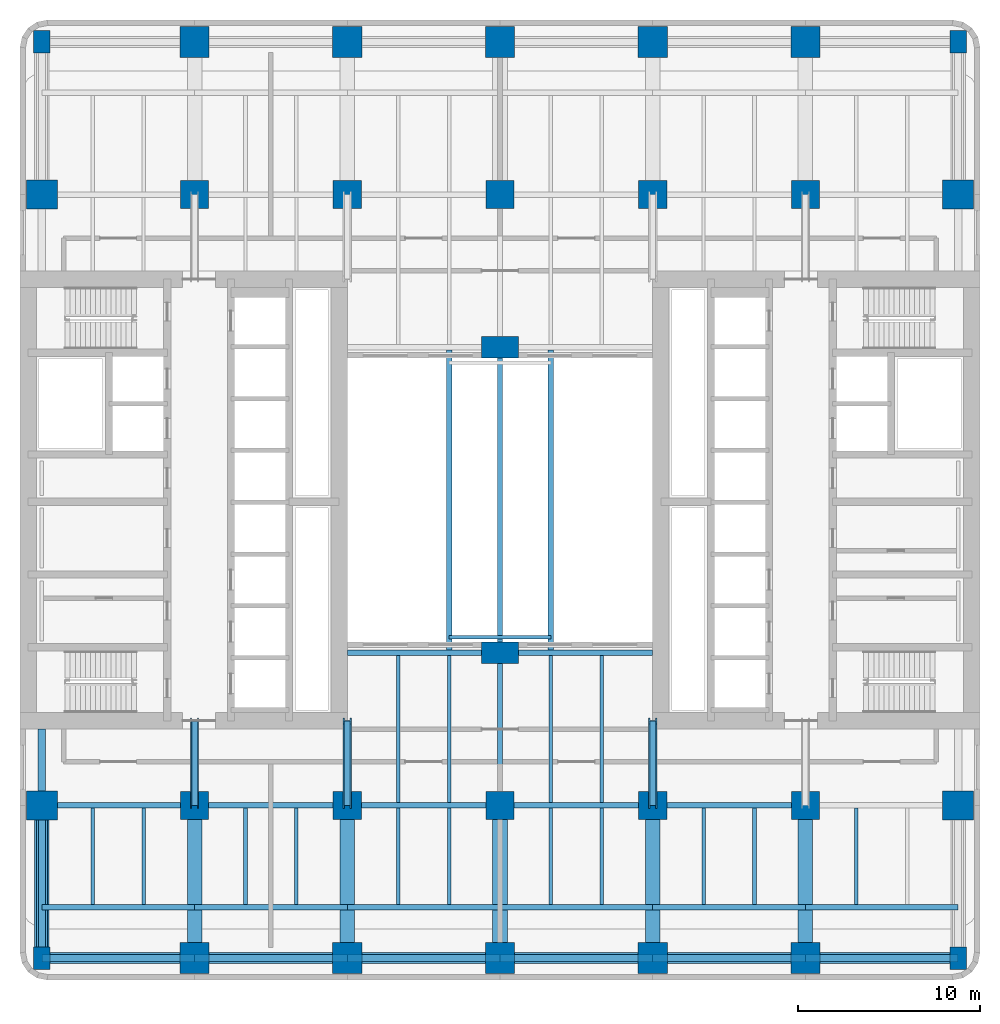
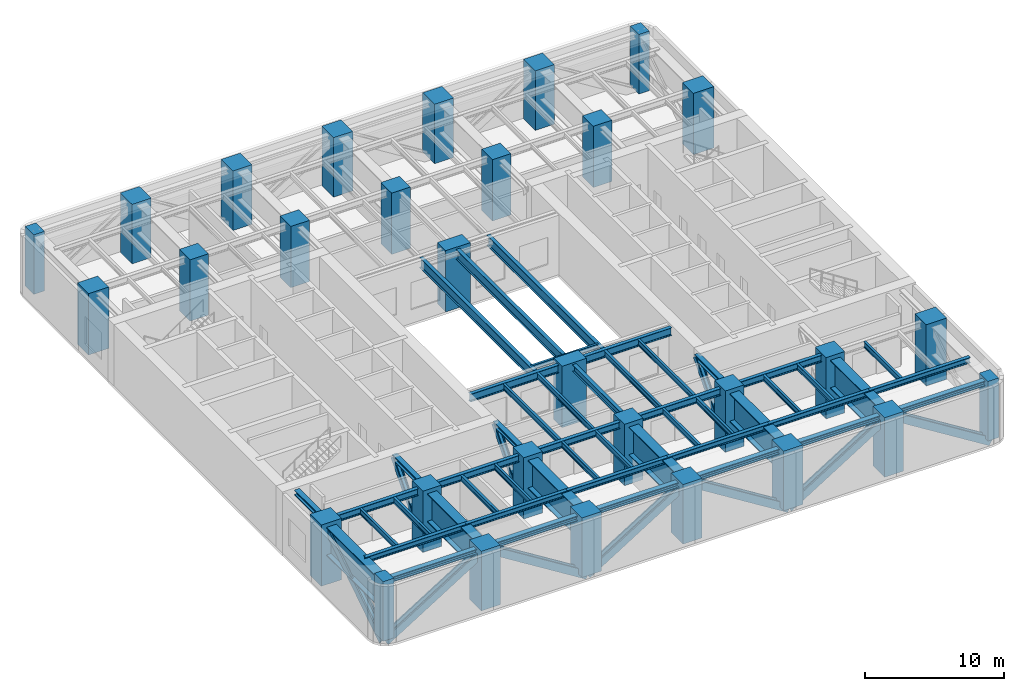
# One storey, part 1 of 11: 49 beams, 30 columns, 10 members.
"""IFC4 building model written with IfcOpenShell, lengths in metres."""

import ifcopenshell
import ifcopenshell.guid

model = None  # the IFC model being written
_history = None  # IfcOwnerHistory: only IFC2X3 demands one
_inside = {}  # id of a spatial element -> (the spatial element, [elements in it])
_under = {}  # id of a project, library or spatial element -> (it, [spatial elements below it])
_declared = {}  # id of a project -> (the project, [libraries it declares])
_typed = {}  # id of a type object -> (the type object, [elements of that type])
_made_of = {}  # id of a material, layer set ... -> (it, [elements and type objects made of it])


def new_model(schema):
    """Start an empty IFC model of exactly this schema.

    Asked for "IFC4X3", IfcOpenShell would pick the latest addendum, in which some entities
    have other attributes; the version numbers below select the first issue.
    IFC2X3 requires an IfcOwnerHistory on every rooted entity: one is made here for all.
    """
    global model, _history
    if schema == "IFC4X3":
        model = ifcopenshell.file(schema_version=(4, 3, 0, 0))
    else:
        model = ifcopenshell.file(schema=schema)
    _inside.clear()
    _under.clear()
    _declared.clear()
    _typed.clear()
    _made_of.clear()
    _history = None
    if model.schema == "IFC2X3":
        org = make("IfcOrganization", Name="unknown")
        user = make(
            "IfcPersonAndOrganization",
            ThePerson=make("IfcPerson", FamilyName="unknown"),
            TheOrganization=org,
        )
        app = make(
            "IfcApplication",
            ApplicationDeveloper=org,
            Version="unknown",
            ApplicationFullName="unknown",
            ApplicationIdentifier="unknown",
        )
        _history = make(
            "IfcOwnerHistory",
            OwningUser=user,
            OwningApplication=app,
            ChangeAction="ADDED",
            CreationDate=0,
        )
    return model


def make(cls, **values):
    """One entity of the class cls with the attributes given. An attribute that is None is left unset."""
    return model.create_entity(
        cls, **{name: value for name, value in values.items() if value is not None}
    )


def rooted(cls, **values):
    """An entity with a GlobalId (a new one), such as an element, a storey or a relation."""
    return make(cls, GlobalId=ifcopenshell.guid.new(), OwnerHistory=_history, **values)


def si_unit(unit_type, name, prefix=None):
    """IfcSIUnit, for example si_unit("LENGTHUNIT", "METRE", prefix="MILLI")."""
    return make("IfcSIUnit", UnitType=unit_type, Prefix=prefix, Name=name)


def assignment(units):
    """IfcUnitAssignment: the units of a project."""
    return None if units is None else make("IfcUnitAssignment", Units=units)


def point(xyz):
    """IfcCartesianPoint."""
    return None if xyz is None else make("IfcCartesianPoint", Coordinates=xyz)


def direction(xyz):
    """IfcDirection."""
    return None if xyz is None else make("IfcDirection", DirectionRatios=xyz)


def frame(location, z_axis=None, x_axis=None):
    """IfcAxis2Placement3D, a coordinate frame: its origin and axes. An axis left out is left unset."""
    return make(
        "IfcAxis2Placement3D",
        Location=point(location),
        Axis=direction(z_axis),
        RefDirection=direction(x_axis),
    )


def frame_2d(location, x_axis=None):
    """IfcAxis2Placement2D, a coordinate frame in the plane: its origin and x axis."""
    return make(
        "IfcAxis2Placement2D", Location=point(location), RefDirection=direction(x_axis)
    )


def origin():
    """The frame at (0, 0, 0) with its axes left unset."""
    return frame((0.0, 0.0, 0.0))


def origin_2d():
    """The frame at (0, 0) in the plane with its x axis left unset."""
    return frame_2d((0.0, 0.0))


def place(relative_to, where):
    """IfcLocalPlacement: puts the frame where relative to a parent placement (None: the world)."""
    return make(
        "IfcLocalPlacement", PlacementRelTo=relative_to, RelativePlacement=where
    )


def context(
    kind, dimensions, precision=None, world=None, true_north=None, identifier=None
):
    """IfcGeometricRepresentationContext, for example the 3D "Model" context."""
    return make(
        "IfcGeometricRepresentationContext",
        ContextIdentifier=identifier,
        ContextType=kind,
        CoordinateSpaceDimension=dimensions,
        Precision=precision,
        WorldCoordinateSystem=world,
        TrueNorth=true_north,
    )


def subcontext(parent, identifier, kind, view, scale=None):
    """IfcGeometricRepresentationSubContext, for example "Body" below "Model"."""
    return make(
        "IfcGeometricRepresentationSubContext",
        ContextIdentifier=identifier,
        ContextType=kind,
        ParentContext=parent,
        TargetScale=scale,
        TargetView=view,
    )


def project(units=None, contexts=None):
    """IfcProject with its units and contexts."""
    return rooted(
        "IfcProject",
        Name="project",
        RepresentationContexts=contexts,
        UnitsInContext=assignment(units),
    )


def spatial(cls, under=None, at=None, **own):
    """A site, building, storey or space (cls), placed at a placement, below another one or the project."""
    s = rooted(cls, ObjectPlacement=at, **own)
    if under is not None:
        _under.setdefault(under.id(), (under, []))[1].append(s)
    return s


def profile(cls, at=None, kind="AREA", **sizes):
    """A parametric profile (cls). Its sizes go by their IFC names, for example OverallWidth=200.0."""
    return make(cls, ProfileType=kind, Position=at, **sizes)


def rectangle(**sizes):
    """IfcRectangleProfileDef."""
    return profile("IfcRectangleProfileDef", **sizes)


def i_section(**sizes):
    """IfcIShapeProfileDef."""
    return profile("IfcIShapeProfileDef", **sizes)


def extrude(swept, where, along, depth):
    """IfcExtrudedAreaSolid: the profile swept, set in the frame where, extruded along a direction by depth."""
    return make(
        "IfcExtrudedAreaSolid",
        SweptArea=swept,
        Position=where,
        ExtrudedDirection=direction(along),
        Depth=depth,
    )


def shape(context_of_items, identifier, shape_type, items):
    """IfcShapeRepresentation: the items that make up one representation, for example the "Body"."""
    return make(
        "IfcShapeRepresentation",
        ContextOfItems=context_of_items,
        RepresentationIdentifier=identifier,
        RepresentationType=shape_type,
        Items=items,
    )


def material(Name=None, Category=None):
    """IfcMaterial."""
    return make("IfcMaterial", Name=Name, Category=Category)


def material_profile(
    of_material, cross_section, Name=None, Category=None, Priority=None
):
    """IfcMaterialProfile: a cross section and its material."""
    return make(
        "IfcMaterialProfile",
        Name=Name,
        Material=of_material,
        Profile=cross_section,
        Priority=Priority,
        Category=Category,
    )


def profile_set(profiles, Name=None, composite=None):
    """IfcMaterialProfileSet."""
    return make(
        "IfcMaterialProfileSet",
        Name=Name,
        MaterialProfiles=profiles,
        CompositeProfile=composite,
    )


def made_of(thing, what):
    """Note that an element or type object is made of a material, layer set ...; save() writes the relation."""
    if what is not None:
        _made_of.setdefault(what.id(), (what, []))[1].append(thing)
    return thing


def type_object(cls, material=None, **own):
    """A type object (cls), such as IfcWallType, which elements share."""
    return made_of(rooted(cls, **own), material)


def element(
    cls,
    number,
    at=None,
    inside=None,
    cuts=None,
    type_object=None,
    material=None,
    context=None,
    identifier="Body",
    shape_type=None,
    held_by="IfcProductDefinitionShape",
    body=None,
    shapes=None,
    **own,
):
    """One element of the class cls, such as IfcWall. Its Tag is "e" and its number.

    at: its placement. inside: the storey or other place that contains it. cuts: it is an
    opening in that element (IfcRelVoidsElement). A single representation is given by context,
    identifier, shape_type and body (its items); several are given by shapes. held_by: the class
    of the entity that holds the representations. save() writes the other relations.
    """
    e = rooted(cls, Tag="e%d" % number, ObjectPlacement=at, **own)
    if body is not None:
        shapes = [shape(context, identifier, shape_type, body)]
    if shapes is not None:
        e.Representation = make(held_by, Representations=shapes)
    if inside is not None:
        _inside.setdefault(inside.id(), (inside, []))[1].append(e)
    if cuts is not None:
        rooted(
            "IfcRelVoidsElement", RelatingBuildingElement=cuts, RelatedOpeningElement=e
        )
    if type_object is not None:
        _typed.setdefault(type_object.id(), (type_object, []))[1].append(e)
    return made_of(e, material)


def aggregate(whole, parts):
    """IfcRelAggregates: a whole, such as a stair, and the parts it consists of."""
    return rooted("IfcRelAggregates", RelatingObject=whole, RelatedObjects=parts)


def save(model, path):
    """Write the relations noted so far, then the file.

    IfcRelAggregates (storeys below a building ...), IfcRelContainedInSpatialStructure (elements
    in a storey), IfcRelDefinesByType, IfcRelAssociatesMaterial and IfcRelDeclares: one each for
    every whole, place, type object, material and project.
    """
    for whole, parts in _under.values():
        aggregate(whole, parts)
    for where, things in _inside.values():
        rooted(
            "IfcRelContainedInSpatialStructure",
            RelatedElements=things,
            RelatingStructure=where,
        )
    for kind, things in _typed.values():
        rooted("IfcRelDefinesByType", RelatedObjects=things, RelatingType=kind)
    for what, things in _made_of.values():
        rooted("IfcRelAssociatesMaterial", RelatedObjects=things, RelatingMaterial=what)
    for by, libraries in _declared.values():
        rooted("IfcRelDeclares", RelatingContext=by, RelatedDefinitions=libraries)
    model.write(path)


model = new_model("IFC4")

# Units and contexts
model_context = context("Model", 3, precision=1e-05, world=origin(), true_north=direction((0.0, 1.0)))
body_context = subcontext(model_context, "Body", "Model", "MODEL_VIEW")
ifc_project = project(units=[si_unit("LENGTHUNIT", "METRE"), si_unit("AREAUNIT", "SQUARE_METRE"), si_unit("VOLUMEUNIT", "CUBIC_METRE"), si_unit("PLANEANGLEUNIT", "RADIAN"), si_unit("MASSUNIT", "GRAM", prefix="KILO")], contexts=[model_context])

# Site, building, storey
site_placement = place(None, origin())
site = spatial("IfcSite", under=ifc_project, at=site_placement, CompositionType="ELEMENT")
building_placement = place(site_placement, origin())
building = spatial("IfcBuilding", under=site, at=building_placement, Name="Claustro Exchange Tower", CompositionType="ELEMENT")
storey_placement = place(building_placement, frame((0.0, 0.0, 90.89990234375)))
storey = spatial("IfcBuildingStorey", under=building, at=storey_placement, Name="L20", CompositionType="ELEMENT", Elevation=90.89990234375)

# Columns
ifc_material_1 = material(Name="Concrete HA-70 (C70/85)", Category="concrete")
ifc_material_profile_1 = material_profile(ifc_material_1, rectangle(XDim=1.550048828125, YDim=1.550048828125, at=origin_2d()), Name="RC 1550x1550")
ifc_profile_set_1 = profile_set([ifc_material_profile_1], Name="Concrete HA-70 (C70/85)")
column_type_1 = type_object("IfcColumnType", Name="C15 RC 1550x1550 HA-70 column", PredefinedType="COLUMN", material=ifc_profile_set_1)
for number, where, z_axis, x_axis, name in (
    (1, (8.39990234375, 8.39990234375, 0.0), (0.0, 0.0, 1.0), (1.0, 0.0, 0.0), "Column C15 2/B L20"),
    (2, (8.39990234375, 42.0, 0.0), (0.0, 0.0, 1.0), (1.0, 0.0, 0.0), "Column C15 2/F L20"),
    (3, (16.800048828125, 8.39990234375, 0.0), (0.0, 0.0, 1.0), (1.0, 0.0, 0.0), "Column C15 3/B L20"),
    (4, (16.800048828125, 42.0, 0.0), (0.0, 0.0, 1.0), (1.0, 0.0, 0.0), "Column C15 3/F L20"),
    (5, (25.199951171875, 8.39990234375, 0.0), (0.0, 0.0, 1.0), (1.0, 0.0, 0.0), "Column C15 4/B L20"),
    (6, (25.199951171875, 42.0, 0.0), (0.0, 0.0, 1.0), (1.0, 0.0, 0.0), "Column C15 4/F L20"),
    (7, (33.60009765625, 8.39990234375, 0.0), (0.0, 0.0, 1.0), (1.0, 0.0, 0.0), "Column C15 5/B L20"),
    (8, (33.60009765625, 42.0, 0.0), (0.0, 0.0, 1.0), (1.0, 0.0, 0.0), "Column C15 5/F L20"),
    (9, (42.0, 8.39990234375, 0.0), (0.0, 0.0, 1.0), (1.0, 0.0, 0.0), "Column C15 6/B L20"),
    (10, (42.0, 42.0, 0.0), (0.0, 0.0, 1.0), (1.0, 0.0, 0.0), "Column C15 6/F L20"),
):
    element("IfcColumn", number, at=place(storey_placement, frame(where, z_axis=z_axis, x_axis=x_axis)), inside=storey, type_object=column_type_1, Name=name, PredefinedType="COLUMN", context=body_context, shape_type="SweptSolid", body=[
        extrude(rectangle(XDim=1.550048828125, YDim=1.550048828125, at=origin_2d()), origin(), (0.0, 0.0, 1.0), 5.400146484375),
    ])
ifc_material_2 = material(Name="Concrete HA-70 (C70/85)", Category="concrete")
ifc_material_profile_2 = material_profile(ifc_material_2, rectangle(XDim=2.050048828125, YDim=1.199951171875, at=origin_2d()), Name="RC 2050x1200")
ifc_profile_set_2 = profile_set([ifc_material_profile_2], Name="Concrete HA-70 (C70/85)")
column_type_2 = type_object("IfcColumnType", Name="C31 RC 2050x1200 HA-70 light well column", PredefinedType="COLUMN", material=ifc_profile_set_2)
for number, where, z_axis, x_axis, name in (
    (11, (25.199951171875, 16.800048828125, 0.0), (0.0, 0.0, 1.0), (1.0, 0.0, 0.0), "Column C31 4/C L20"),
    (12, (25.199951171875, 33.60009765625, 0.0), (0.0, 0.0, 1.0), (1.0, 0.0, 0.0), "Column C31 4/E L20"),
):
    element("IfcColumn", number, at=place(storey_placement, frame(where, z_axis=z_axis, x_axis=x_axis)), inside=storey, type_object=column_type_2, Name=name, PredefinedType="COLUMN", context=body_context, shape_type="SweptSolid", body=[
        extrude(rectangle(XDim=2.050048828125, YDim=1.199951171875, at=origin_2d()), origin(), (0.0, 0.0, 1.0), 5.400146484375),
    ])
ifc_material_3 = material(Name="Concrete HA-70 (C70/85)", Category="concrete")
ifc_material_profile_3 = material_profile(ifc_material_3, rectangle(XDim=0.89990234375, YDim=1.25, at=origin_2d()), Name="RC 900x1250")
ifc_profile_set_3 = profile_set([ifc_material_profile_3], Name="Concrete HA-70 (C70/85)")
column_type_3 = type_object("IfcColumnType", Name="C35 RC 900x1250 HA-70 corner column", PredefinedType="COLUMN", material=ifc_profile_set_3)
for number, where, z_axis, x_axis, name in (
    (13, (0.0, 0.0, 0.0), (0.0, 0.0, 1.0), (1.0, 0.0, 0.0), "Column C35 1/A L20"),
    (14, (0.0, 50.39990234375, 0.0), (0.0, 0.0, 1.0), (1.0, 0.0, 0.0), "Column C35 1/G L20"),
    (15, (50.39990234375, 0.0, 0.0), (0.0, 0.0, 1.0), (1.0, 0.0, 0.0), "Column C35 7/A L20"),
    (16, (50.39990234375, 50.39990234375, 0.0), (0.0, 0.0, 1.0), (1.0, 0.0, 0.0), "Column C35 7/G L20"),
):
    element("IfcColumn", number, at=place(storey_placement, frame(where, z_axis=z_axis, x_axis=x_axis)), inside=storey, type_object=column_type_3, Name=name, PredefinedType="COLUMN", context=body_context, shape_type="SweptSolid", body=[
        extrude(rectangle(XDim=0.89990234375, YDim=1.25, at=origin_2d()), origin(), (0.0, 0.0, 1.0), 5.239990234375),
    ])
ifc_material_4 = material(Name="Concrete HA-70 (C70/85)", Category="concrete")
ifc_material_profile_4 = material_profile(ifc_material_4, rectangle(XDim=1.60009765625, YDim=1.699951171875, at=origin_2d()), Name="RC 1600x1700")
ifc_profile_set_4 = profile_set([ifc_material_profile_4], Name="Concrete HA-70 (C70/85)")
column_type_4 = type_object("IfcColumnType", Name="C37 RC 1600x1700 HA-70 perimeter column", PredefinedType="COLUMN", material=ifc_profile_set_4)
for number, where, z_axis, x_axis, name in (
    (17, (0.0, 8.39990234375, 0.0), (0.0, 0.0, 1.0), (0.0, 1.0, 0.0), "Column C37 1/B L20"),
    (18, (0.0, 42.0, 0.0), (0.0, 0.0, 1.0), (0.0, 1.0, 0.0), "Column C37 1/F L20"),
):
    element("IfcColumn", number, at=place(storey_placement, frame(where, z_axis=z_axis, x_axis=x_axis)), inside=storey, type_object=column_type_4, Name=name, PredefinedType="COLUMN", context=body_context, shape_type="SweptSolid", body=[
        extrude(rectangle(XDim=1.60009765625, YDim=1.699951171875, at=origin_2d()), origin(), (0.0, 0.0, 1.0), 5.400146484375),
    ])
for number, where, z_axis, x_axis, name in (
    (19, (8.39990234375, 0.0, 0.0), (0.0, 0.0, 1.0), (1.0, 0.0, 0.0), "Column C37 2/A L20"),
    (20, (8.39990234375, 50.39990234375, 0.0), (0.0, 0.0, 1.0), (1.0, 0.0, 0.0), "Column C37 2/G L20"),
    (21, (16.800048828125, 0.0, 0.0), (0.0, 0.0, 1.0), (1.0, 0.0, 0.0), "Column C37 3/A L20"),
    (22, (16.800048828125, 50.39990234375, 0.0), (0.0, 0.0, 1.0), (1.0, 0.0, 0.0), "Column C37 3/G L20"),
    (23, (25.199951171875, 0.0, 0.0), (0.0, 0.0, 1.0), (1.0, 0.0, 0.0), "Column C37 4/A L20"),
    (24, (25.199951171875, 50.39990234375, 0.0), (0.0, 0.0, 1.0), (1.0, 0.0, 0.0), "Column C37 4/G L20"),
    (25, (33.60009765625, 0.0, 0.0), (0.0, 0.0, 1.0), (1.0, 0.0, 0.0), "Column C37 5/A L20"),
    (26, (33.60009765625, 50.39990234375, 0.0), (0.0, 0.0, 1.0), (1.0, 0.0, 0.0), "Column C37 5/G L20"),
    (27, (42.0, 0.0, 0.0), (0.0, 0.0, 1.0), (1.0, 0.0, 0.0), "Column C37 6/A L20"),
    (28, (42.0, 50.39990234375, 0.0), (0.0, 0.0, 1.0), (1.0, 0.0, 0.0), "Column C37 6/G L20"),
):
    element("IfcColumn", number, at=place(storey_placement, frame(where, z_axis=z_axis, x_axis=x_axis)), inside=storey, type_object=column_type_4, Name=name, PredefinedType="COLUMN", context=body_context, shape_type="SweptSolid", body=[
        extrude(rectangle(XDim=1.60009765625, YDim=1.699951171875, at=origin_2d()), origin(), (0.0, 0.0, 1.0), 5.239990234375),
    ])
for number, where, z_axis, x_axis, name in (
    (29, (50.39990234375, 8.39990234375, 0.0), (0.0, 0.0, 1.0), (0.0, 1.0, 0.0), "Column C37 7/B L20"),
    (30, (50.39990234375, 42.0, 0.0), (0.0, 0.0, 1.0), (0.0, 1.0, 0.0), "Column C37 7/F L20"),
):
    element("IfcColumn", number, at=place(storey_placement, frame(where, z_axis=z_axis, x_axis=x_axis)), inside=storey, type_object=column_type_4, Name=name, PredefinedType="COLUMN", context=body_context, shape_type="SweptSolid", body=[
        extrude(rectangle(XDim=1.60009765625, YDim=1.699951171875, at=origin_2d()), origin(), (0.0, 0.0, 1.0), 5.400146484375),
    ])

# Beams
ifc_material_5 = material(Name="Steel S355", Category="steel")
ifc_material_profile_5 = material_profile(ifc_material_5, i_section(OverallWidth=0.300048828125, OverallDepth=0.60009765625, WebThickness=0.015380859375, FlangeThickness=0.030029296875, FilletRadius=0.027099609375, at=origin_2d()), Name="HE 600 B")
ifc_profile_set_5 = profile_set([ifc_material_profile_5], Name="Steel S355")
beam_type_1 = type_object("IfcBeamType", Name="B1 HE 600 B floor girder", PredefinedType="BEAM", material=ifc_profile_set_5)
beam_1_placement = place(storey_placement, frame((25.199951171875, 8.39990234375, 4.940185546875), z_axis=(0.0, 1.0, 0.0), x_axis=(-1.0, 0.0, 0.0)))
element("IfcBeam", 31, at=beam_1_placement, inside=storey, type_object=beam_type_1, Name="Beam B1 L21", PredefinedType="BEAM", context=body_context, shape_type="SweptSolid", body=[
    extrude(i_section(OverallWidth=0.300048828125, OverallDepth=0.60009765625, WebThickness=0.015380859375, FlangeThickness=0.030029296875, FilletRadius=0.027099609375, at=origin_2d()), origin(), (0.0, 0.0, 1.0), 8.400146484375),
])
beam_2_placement = place(storey_placement, frame((0.0, 8.39990234375, 4.940185546875), z_axis=(1.0, 0.0, 0.0), x_axis=(0.0, 1.0, 0.0)))
element("IfcBeam", 32, at=beam_2_placement, inside=storey, type_object=beam_type_1, Name="Beam B1 L21", PredefinedType="BEAM", context=body_context, shape_type="SweptSolid", body=[
    extrude(i_section(OverallWidth=0.300048828125, OverallDepth=0.60009765625, WebThickness=0.015380859375, FlangeThickness=0.030029296875, FilletRadius=0.027099609375, at=origin_2d()), origin(), (0.0, 0.0, 1.0), 8.39990234375),
])
beam_3_placement = place(storey_placement, frame((8.39990234375, 8.39990234375, 4.940185546875), z_axis=(1.0, 0.0, 0.0), x_axis=(0.0, 1.0, 0.0)))
element("IfcBeam", 33, at=beam_3_placement, inside=storey, type_object=beam_type_1, Name="Beam B1 L21", PredefinedType="BEAM", context=body_context, shape_type="SweptSolid", body=[
    extrude(i_section(OverallWidth=0.300048828125, OverallDepth=0.60009765625, WebThickness=0.015380859375, FlangeThickness=0.030029296875, FilletRadius=0.027099609375, at=origin_2d()), origin(), (0.0, 0.0, 1.0), 8.400146484375),
])
beam_4_placement = place(storey_placement, frame((16.800048828125, 8.39990234375, 4.940185546875), z_axis=(1.0, 0.0, 0.0), x_axis=(0.0, 1.0, 0.0)))
element("IfcBeam", 34, at=beam_4_placement, inside=storey, type_object=beam_type_1, Name="Beam B1 L21", PredefinedType="BEAM", context=body_context, shape_type="SweptSolid", body=[
    extrude(i_section(OverallWidth=0.300048828125, OverallDepth=0.60009765625, WebThickness=0.015380859375, FlangeThickness=0.030029296875, FilletRadius=0.027099609375, at=origin_2d()), origin(), (0.0, 0.0, 1.0), 8.39990234375),
])
beam_5_placement = place(storey_placement, frame((25.199951171875, 8.39990234375, 4.940185546875), z_axis=(1.0, 0.0, 0.0), x_axis=(0.0, 1.0, 0.0)))
element("IfcBeam", 35, at=beam_5_placement, inside=storey, type_object=beam_type_1, Name="Beam B1 L21", PredefinedType="BEAM", context=body_context, shape_type="SweptSolid", body=[
    extrude(i_section(OverallWidth=0.300048828125, OverallDepth=0.60009765625, WebThickness=0.015380859375, FlangeThickness=0.030029296875, FilletRadius=0.027099609375, at=origin_2d()), origin(), (0.0, 0.0, 1.0), 8.400146484375),
])
beam_6_placement = place(storey_placement, frame((33.60009765625, 8.39990234375, 4.940185546875), z_axis=(1.0, 0.0, 0.0), x_axis=(0.0, 1.0, 0.0)))
element("IfcBeam", 36, at=beam_6_placement, inside=storey, type_object=beam_type_1, Name="Beam B1 L21", PredefinedType="BEAM", context=body_context, shape_type="SweptSolid", body=[
    extrude(i_section(OverallWidth=0.300048828125, OverallDepth=0.60009765625, WebThickness=0.015380859375, FlangeThickness=0.030029296875, FilletRadius=0.027099609375, at=origin_2d()), origin(), (0.0, 0.0, 1.0), 8.39990234375),
])
ifc_material_6 = material(Name="Steel S355", Category="steel")
ifc_material_profile_6 = material_profile(ifc_material_6, i_section(OverallWidth=0.300048828125, OverallDepth=0.68994140625, WebThickness=0.014404296875, FlangeThickness=0.027099609375, FilletRadius=0.027099609375, at=origin_2d()), Name="HE 700 A")
ifc_profile_set_6 = profile_set([ifc_material_profile_6], Name="Steel S355")
beam_type_2 = type_object("IfcBeamType", Name="B13 HE 700 A light well edge girder", PredefinedType="BEAM", material=ifc_profile_set_6)
beam_7_placement = place(storey_placement, frame((16.800048828125, 16.800048828125, 4.89501953125), z_axis=(1.0, 0.0, 0.0), x_axis=(0.0, 1.0, 0.0)))
element("IfcBeam", 37, at=beam_7_placement, inside=storey, type_object=beam_type_2, Name="Beam B13 L21", PredefinedType="BEAM", context=body_context, shape_type="SweptSolid", body=[
    extrude(i_section(OverallWidth=0.300048828125, OverallDepth=0.68994140625, WebThickness=0.014404296875, FlangeThickness=0.027099609375, FilletRadius=0.027099609375, at=origin_2d()), origin(), (0.0, 0.0, 1.0), 8.39990234375),
])
beam_8_placement = place(storey_placement, frame((25.199951171875, 16.800048828125, 4.89501953125), z_axis=(1.0, 0.0, 0.0), x_axis=(0.0, 1.0, 0.0)))
element("IfcBeam", 38, at=beam_8_placement, inside=storey, type_object=beam_type_2, Name="Beam B13 L21", PredefinedType="BEAM", context=body_context, shape_type="SweptSolid", body=[
    extrude(i_section(OverallWidth=0.300048828125, OverallDepth=0.68994140625, WebThickness=0.014404296875, FlangeThickness=0.027099609375, FilletRadius=0.027099609375, at=origin_2d()), origin(), (0.0, 0.0, 1.0), 8.400146484375),
])
ifc_material_7 = material(Name="Steel S355", Category="steel")
ifc_material_profile_7 = material_profile(ifc_material_7, i_section(OverallWidth=0.300048828125, OverallDepth=0.89990234375, WebThickness=0.0185546875, FlangeThickness=0.034912109375, FilletRadius=0.030029296875, at=origin_2d()), Name="HE 900 B")
ifc_profile_set_7 = profile_set([ifc_material_profile_7], Name="Steel S355")
beam_type_3 = type_object("IfcBeamType", Name="B14 HE 900 B bridge girder", PredefinedType="BEAM", material=ifc_profile_set_7)
for number, where, z_axis, x_axis, name in (
    (39, (22.39990234375, 16.949951171875, 4.77001953125), (0.0, 1.0, 0.0), (-1.0, 0.0, 0.0), "Sky bridge girder B14 L21"),
    (40, (25.199951171875, 16.949951171875, 4.77001953125), (0.0, 1.0, 0.0), (-1.0, 0.0, 0.0), "Sky bridge girder B14 L21"),
    (41, (28.0, 16.949951171875, 4.77001953125), (0.0, 1.0, 0.0), (-1.0, 0.0, 0.0), "Sky bridge girder B14 L21"),
):
    element("IfcBeam", number, at=place(storey_placement, frame(where, z_axis=z_axis, x_axis=x_axis)), inside=storey, type_object=beam_type_3, Name=name, PredefinedType="BEAM", context=body_context, shape_type="SweptSolid", body=[
        extrude(i_section(OverallWidth=0.300048828125, OverallDepth=0.89990234375, WebThickness=0.0185546875, FlangeThickness=0.034912109375, FilletRadius=0.030029296875, at=origin_2d()), origin(), (0.0, 0.0, 1.0), 16.5),
    ])
ifc_material_8 = material(Name="Steel S355", Category="steel")
ifc_material_profile_8 = material_profile(ifc_material_8, i_section(OverallWidth=0.199951171875, OverallDepth=0.5, WebThickness=0.01025390625, FlangeThickness=0.01611328125, FilletRadius=0.02099609375, at=origin_2d()), Name="IPE 500")
ifc_profile_set_8 = profile_set([ifc_material_profile_8], Name="Steel S355")
beam_type_4 = type_object("IfcBeamType", Name="B2 IPE 500 secondary beam", PredefinedType="BEAM", material=ifc_profile_set_8)
for number, where, z_axis, x_axis, name in (
    (42, (2.800048828125, 2.949951171875, 4.989990234375), (0.0, 1.0, 0.0), (-1.0, 0.0, 0.0), "Beam B2 L21"),
    (43, (5.60009765625, 2.949951171875, 4.989990234375), (0.0, 1.0, 0.0), (-1.0, 0.0, 0.0), "Beam B2 L21"),
    (44, (11.199951171875, 2.949951171875, 4.989990234375), (0.0, 1.0, 0.0), (-1.0, 0.0, 0.0), "Beam B2 L21"),
    (45, (14.0, 2.949951171875, 4.989990234375), (0.0, 1.0, 0.0), (-1.0, 0.0, 0.0), "Beam B2 L21"),
    (46, (19.60009765625, 2.949951171875, 4.989990234375), (0.0, 1.0, 0.0), (-1.0, 0.0, 0.0), "Beam B2 L21"),
    (47, (22.39990234375, 2.949951171875, 4.989990234375), (0.0, 1.0, 0.0), (-1.0, 0.0, 0.0), "Beam B2 L21"),
):
    element("IfcBeam", number, at=place(storey_placement, frame(where, z_axis=z_axis, x_axis=x_axis)), inside=storey, type_object=beam_type_4, Name=name, PredefinedType="BEAM", context=body_context, shape_type="SweptSolid", body=[
        extrude(i_section(OverallWidth=0.199951171875, OverallDepth=0.5, WebThickness=0.01025390625, FlangeThickness=0.01611328125, FilletRadius=0.02099609375, at=origin_2d()), origin(), (0.0, 0.0, 1.0), 5.300048828125),
    ])
for number, where, z_axis, x_axis, name in (
    (48, (19.60009765625, 8.550048828125, 4.989990234375), (0.0, 1.0, 0.0), (-1.0, 0.0, 0.0), "Beam B2 L21"),
    (49, (22.39990234375, 8.550048828125, 4.989990234375), (0.0, 1.0, 0.0), (-1.0, 0.0, 0.0), "Beam B2 L21"),
):
    element("IfcBeam", number, at=place(storey_placement, frame(where, z_axis=z_axis, x_axis=x_axis)), inside=storey, type_object=beam_type_4, Name=name, PredefinedType="BEAM", context=body_context, shape_type="SweptSolid", body=[
        extrude(i_section(OverallWidth=0.199951171875, OverallDepth=0.5, WebThickness=0.01025390625, FlangeThickness=0.01611328125, FilletRadius=0.02099609375, at=origin_2d()), origin(), (0.0, 0.0, 1.0), 8.099853515625),
    ])
for number, where, z_axis, x_axis, name in (
    (50, (28.0, 2.949951171875, 4.989990234375), (0.0, 1.0, 0.0), (-1.0, 0.0, 0.0), "Beam B2 L21"),
    (51, (30.800048828125, 2.949951171875, 4.989990234375), (0.0, 1.0, 0.0), (-1.0, 0.0, 0.0), "Beam B2 L21"),
):
    element("IfcBeam", number, at=place(storey_placement, frame(where, z_axis=z_axis, x_axis=x_axis)), inside=storey, type_object=beam_type_4, Name=name, PredefinedType="BEAM", context=body_context, shape_type="SweptSolid", body=[
        extrude(i_section(OverallWidth=0.199951171875, OverallDepth=0.5, WebThickness=0.01025390625, FlangeThickness=0.01611328125, FilletRadius=0.02099609375, at=origin_2d()), origin(), (0.0, 0.0, 1.0), 5.300048828125),
    ])
for number, where, z_axis, x_axis, name in (
    (52, (28.0, 8.550048828125, 4.989990234375), (0.0, 1.0, 0.0), (-1.0, 0.0, 0.0), "Beam B2 L21"),
    (53, (30.800048828125, 8.550048828125, 4.989990234375), (0.0, 1.0, 0.0), (-1.0, 0.0, 0.0), "Beam B2 L21"),
):
    element("IfcBeam", number, at=place(storey_placement, frame(where, z_axis=z_axis, x_axis=x_axis)), inside=storey, type_object=beam_type_4, Name=name, PredefinedType="BEAM", context=body_context, shape_type="SweptSolid", body=[
        extrude(i_section(OverallWidth=0.199951171875, OverallDepth=0.5, WebThickness=0.01025390625, FlangeThickness=0.01611328125, FilletRadius=0.02099609375, at=origin_2d()), origin(), (0.0, 0.0, 1.0), 8.099853515625),
    ])
for number, where, z_axis, x_axis, name in (
    (54, (36.39990234375, 2.949951171875, 4.989990234375), (0.0, 1.0, 0.0), (-1.0, 0.0, 0.0), "Beam B2 L21"),
    (55, (39.199951171875, 2.949951171875, 4.989990234375), (0.0, 1.0, 0.0), (-1.0, 0.0, 0.0), "Beam B2 L21"),
    (56, (44.800048828125, 2.949951171875, 4.989990234375), (0.0, 1.0, 0.0), (-1.0, 0.0, 0.0), "Beam B2 L21"),
):
    element("IfcBeam", number, at=place(storey_placement, frame(where, z_axis=z_axis, x_axis=x_axis)), inside=storey, type_object=beam_type_4, Name=name, PredefinedType="BEAM", context=body_context, shape_type="SweptSolid", body=[
        extrude(i_section(OverallWidth=0.199951171875, OverallDepth=0.5, WebThickness=0.01025390625, FlangeThickness=0.01611328125, FilletRadius=0.02099609375, at=origin_2d()), origin(), (0.0, 0.0, 1.0), 5.300048828125),
    ])
ifc_material_9 = material(Name="Steel S355", Category="steel")
ifc_material_profile_9 = material_profile(ifc_material_9, i_section(OverallWidth=0.179931640625, OverallDepth=0.39990234375, WebThickness=0.008544921875, FlangeThickness=0.013427734375, FilletRadius=0.02099609375, at=origin_2d()), Name="IPE 400")
ifc_profile_set_9 = profile_set([ifc_material_profile_9], Name="Steel S355")
beam_type_5 = type_object("IfcBeamType", Name="B21 IPE 400 sky bridge end trimmer", PredefinedType="BEAM", material=ifc_profile_set_9)
beam_9_placement = place(storey_placement, frame((22.39990234375, 17.64990234375, 5.02001953125), z_axis=(1.0, 0.0, 0.0), x_axis=(0.0, 1.0, 0.0)))
element("IfcBeam", 57, at=beam_9_placement, inside=storey, type_object=beam_type_5, Name="Sky bridge end trimmer B21 L21", PredefinedType="BEAM", context=body_context, shape_type="SweptSolid", body=[
    extrude(i_section(OverallWidth=0.179931640625, OverallDepth=0.39990234375, WebThickness=0.008544921875, FlangeThickness=0.013427734375, FilletRadius=0.02099609375, at=origin_2d()), origin(), (0.0, 0.0, 1.0), 5.60009765625),
])
ifc_material_10 = material(Name="Steel S355", Category="steel")
ifc_material_profile_10 = material_profile(ifc_material_10, i_section(OverallWidth=0.300048828125, OverallDepth=0.5, WebThickness=0.014404296875, FlangeThickness=0.028076171875, FilletRadius=0.027099609375, at=origin_2d()), Name="HE 500 B")
ifc_profile_set_10 = profile_set([ifc_material_profile_10], Name="Steel S355")
beam_type_6 = type_object("IfcBeamType", Name="B3 HE 500 B spandrel edge girder", PredefinedType="SPANDREL", material=ifc_profile_set_10)
beam_10_placement = place(storey_placement, frame((0.0, 2.800048828125, 4.989990234375), z_axis=(1.0, 0.0, 0.0), x_axis=(0.0, 1.0, 0.0)))
element("IfcBeam", 58, at=beam_10_placement, inside=storey, type_object=beam_type_6, Name="Beam B3 L21", PredefinedType="SPANDREL", context=body_context, shape_type="SweptSolid", body=[
    extrude(i_section(OverallWidth=0.300048828125, OverallDepth=0.5, WebThickness=0.014404296875, FlangeThickness=0.028076171875, FilletRadius=0.027099609375, at=origin_2d()), origin(), (0.0, 0.0, 1.0), 8.39990234375),
])
beam_11_placement = place(storey_placement, frame((8.39990234375, 2.800048828125, 4.989990234375), z_axis=(1.0, 0.0, 0.0), x_axis=(0.0, 1.0, 0.0)))
element("IfcBeam", 59, at=beam_11_placement, inside=storey, type_object=beam_type_6, Name="Beam B3 L21", PredefinedType="SPANDREL", context=body_context, shape_type="SweptSolid", body=[
    extrude(i_section(OverallWidth=0.300048828125, OverallDepth=0.5, WebThickness=0.014404296875, FlangeThickness=0.028076171875, FilletRadius=0.027099609375, at=origin_2d()), origin(), (0.0, 0.0, 1.0), 8.400146484375),
])
beam_12_placement = place(storey_placement, frame((16.800048828125, 2.800048828125, 4.989990234375), z_axis=(1.0, 0.0, 0.0), x_axis=(0.0, 1.0, 0.0)))
element("IfcBeam", 60, at=beam_12_placement, inside=storey, type_object=beam_type_6, Name="Beam B3 L21", PredefinedType="SPANDREL", context=body_context, shape_type="SweptSolid", body=[
    extrude(i_section(OverallWidth=0.300048828125, OverallDepth=0.5, WebThickness=0.014404296875, FlangeThickness=0.028076171875, FilletRadius=0.027099609375, at=origin_2d()), origin(), (0.0, 0.0, 1.0), 8.39990234375),
])
beam_13_placement = place(storey_placement, frame((25.199951171875, 2.800048828125, 4.989990234375), z_axis=(1.0, 0.0, 0.0), x_axis=(0.0, 1.0, 0.0)))
element("IfcBeam", 61, at=beam_13_placement, inside=storey, type_object=beam_type_6, Name="Beam B3 L21", PredefinedType="SPANDREL", context=body_context, shape_type="SweptSolid", body=[
    extrude(i_section(OverallWidth=0.300048828125, OverallDepth=0.5, WebThickness=0.014404296875, FlangeThickness=0.028076171875, FilletRadius=0.027099609375, at=origin_2d()), origin(), (0.0, 0.0, 1.0), 8.400146484375),
])
for number, where, z_axis, x_axis, name in (
    (62, (33.60009765625, 2.800048828125, 4.989990234375), (1.0, 0.0, 0.0), (0.0, 1.0, 0.0), "Beam B3 L21"),
    (63, (42.0, 2.800048828125, 4.989990234375), (1.0, 0.0, 0.0), (0.0, 1.0, 0.0), "Beam B3 L21"),
):
    element("IfcBeam", number, at=place(storey_placement, frame(where, z_axis=z_axis, x_axis=x_axis)), inside=storey, type_object=beam_type_6, Name=name, PredefinedType="SPANDREL", context=body_context, shape_type="SweptSolid", body=[
        extrude(i_section(OverallWidth=0.300048828125, OverallDepth=0.5, WebThickness=0.014404296875, FlangeThickness=0.028076171875, FilletRadius=0.027099609375, at=origin_2d()), origin(), (0.0, 0.0, 1.0), 8.39990234375),
    ])
ifc_material_11 = material(Name="Steel S460", Category="steel")
ifc_material_profile_11 = material_profile(ifc_material_11, i_section(OverallWidth=0.416015625, OverallDepth=0.446044921875, WebThickness=0.0390625, FlangeThickness=0.062744140625, FilletRadius=0.014892578125, at=origin_2d()), Name="HD 400x509")
ifc_profile_set_11 = profile_set([ifc_material_profile_11], Name="Steel S460")
beam_type_7 = type_object("IfcBeamType", Name="BT1 HD 400x509 belt truss chord", PredefinedType="BEAM", material=ifc_profile_set_11)
beam_14_placement = place(storey_placement, frame((0.0, 8.39990234375, 5.01708984375), z_axis=(0.0, 1.0, 0.0), x_axis=(-1.0, 0.0, 0.0)))
element("IfcBeam", 64, at=beam_14_placement, inside=storey, type_object=beam_type_7, Name="Beam BT1 L21", PredefinedType="BEAM", context=body_context, shape_type="SweptSolid", body=[
    extrude(i_section(OverallWidth=0.416015625, OverallDepth=0.446044921875, WebThickness=0.0390625, FlangeThickness=0.062744140625, FilletRadius=0.014892578125, at=origin_2d()), origin(), (0.0, 0.0, 1.0), 4.2001953125),
])
beam_15_placement = place(storey_placement, frame((0.0, 0.0, 4.817138671875), z_axis=(1.0, 0.0, 0.0), x_axis=(0.0, 1.0, 0.0)))
element("IfcBeam", 65, at=beam_15_placement, inside=storey, type_object=beam_type_7, Name="Beam BT1 L21", PredefinedType="BEAM", context=body_context, shape_type="SweptSolid", body=[
    extrude(i_section(OverallWidth=0.416015625, OverallDepth=0.446044921875, WebThickness=0.0390625, FlangeThickness=0.062744140625, FilletRadius=0.014892578125, at=origin_2d()), origin(), (0.0, 0.0, 1.0), 8.39990234375),
])
beam_16_placement = place(storey_placement, frame((8.39990234375, 0.0, 4.817138671875), z_axis=(1.0, 0.0, 0.0), x_axis=(0.0, 1.0, 0.0)))
element("IfcBeam", 66, at=beam_16_placement, inside=storey, type_object=beam_type_7, Name="Beam BT1 L21", PredefinedType="BEAM", context=body_context, shape_type="SweptSolid", body=[
    extrude(i_section(OverallWidth=0.416015625, OverallDepth=0.446044921875, WebThickness=0.0390625, FlangeThickness=0.062744140625, FilletRadius=0.014892578125, at=origin_2d()), origin(), (0.0, 0.0, 1.0), 8.400146484375),
])
beam_17_placement = place(storey_placement, frame((16.800048828125, 0.0, 4.817138671875), z_axis=(1.0, 0.0, 0.0), x_axis=(0.0, 1.0, 0.0)))
element("IfcBeam", 67, at=beam_17_placement, inside=storey, type_object=beam_type_7, Name="Beam BT1 L21", PredefinedType="BEAM", context=body_context, shape_type="SweptSolid", body=[
    extrude(i_section(OverallWidth=0.416015625, OverallDepth=0.446044921875, WebThickness=0.0390625, FlangeThickness=0.062744140625, FilletRadius=0.014892578125, at=origin_2d()), origin(), (0.0, 0.0, 1.0), 8.39990234375),
])
beam_18_placement = place(storey_placement, frame((25.199951171875, 0.0, 4.817138671875), z_axis=(1.0, 0.0, 0.0), x_axis=(0.0, 1.0, 0.0)))
element("IfcBeam", 68, at=beam_18_placement, inside=storey, type_object=beam_type_7, Name="Beam BT1 L21", PredefinedType="BEAM", context=body_context, shape_type="SweptSolid", body=[
    extrude(i_section(OverallWidth=0.416015625, OverallDepth=0.446044921875, WebThickness=0.0390625, FlangeThickness=0.062744140625, FilletRadius=0.014892578125, at=origin_2d()), origin(), (0.0, 0.0, 1.0), 8.400146484375),
])
for number, where, z_axis, x_axis, name in (
    (69, (33.60009765625, 0.0, 4.817138671875), (1.0, 0.0, 0.0), (0.0, 1.0, 0.0), "Beam BT1 L21"),
    (70, (42.0, 0.0, 4.817138671875), (1.0, 0.0, 0.0), (0.0, 1.0, 0.0), "Beam BT1 L21"),
):
    element("IfcBeam", number, at=place(storey_placement, frame(where, z_axis=z_axis, x_axis=x_axis)), inside=storey, type_object=beam_type_7, Name=name, PredefinedType="BEAM", context=body_context, shape_type="SweptSolid", body=[
        extrude(i_section(OverallWidth=0.416015625, OverallDepth=0.446044921875, WebThickness=0.0390625, FlangeThickness=0.062744140625, FilletRadius=0.014892578125, at=origin_2d()), origin(), (0.0, 0.0, 1.0), 8.39990234375),
    ])

# Members
ifc_material_12 = material(Name="Steel S460", Category="steel")
ifc_material_profile_12 = material_profile(ifc_material_12, i_section(OverallWidth=0.64990234375, OverallDepth=0.60009765625, WebThickness=0.06005859375, FlangeThickness=0.110107421875, at=origin_2d()), Name="PG 600x650")
ifc_profile_set_12 = profile_set([ifc_material_profile_12], Name="Steel S460")
member_type_1 = type_object("IfcMemberType", Name="BT2 PG 600x650 belt truss diagonal", PredefinedType="BRACE", material=ifc_profile_set_12)
for number, where, z_axis, x_axis, name in (
    (71, (0.0, 0.0, -0.4228515625), (0.84844963308, 0.0, 0.529276128431), (-0.529276128431, 0.0, 0.84844963308), "Belt truss diagonal BT2 L20"),
    (72, (16.800048828125, 0.0, -0.4228515625), (-0.848456540929, 0.0, 0.529265054726), (0.529265054726, 0.0, 0.848456540929), "Belt truss diagonal BT2 L20"),
    (73, (16.800048828125, 0.0, -0.4228515625), (0.84844963308, 0.0, 0.529276128431), (-0.529276128431, 0.0, 0.84844963308), "Belt truss diagonal BT2 L20"),
    (74, (33.60009765625, 0.0, -0.4228515625), (-0.848456540929, 0.0, 0.529265054726), (0.529265054726, 0.0, 0.848456540929), "Belt truss diagonal BT2 L20"),
    (75, (33.60009765625, 0.0, -0.4228515625), (0.84844963308, 0.0, 0.529276128431), (-0.529276128431, 0.0, 0.84844963308), "Belt truss diagonal BT2 L20"),
    (76, (50.39990234375, 0.0, -0.4228515625), (-0.84844963308, 0.0, 0.529276128431), (0.529276128431, 0.0, 0.84844963308), "Belt truss diagonal BT2 L20"),
):
    element("IfcMember", number, at=place(storey_placement, frame(where, z_axis=z_axis, x_axis=x_axis)), inside=storey, type_object=member_type_1, Name=name, PredefinedType="BRACE", context=body_context, shape_type="SweptSolid", body=[
        extrude(i_section(OverallWidth=0.64990234375, OverallDepth=0.60009765625, WebThickness=0.06005859375, FlangeThickness=0.110107421875, at=origin_2d()), origin(), (0.0, 0.0, 1.0), 9.900390625),
    ])
member_placement = place(storey_placement, frame((0.0, 0.0, -0.4228515625), z_axis=(0.0, 0.839355410214, 0.543583016055), x_axis=(0.0, -0.543583016055, 0.839355410214)))
element("IfcMember", 77, at=member_placement, inside=storey, type_object=member_type_1, Name="Belt truss diagonal BT2 L20", PredefinedType="BRACE", context=body_context, shape_type="SweptSolid", body=[
    extrude(i_section(OverallWidth=0.64990234375, OverallDepth=0.60009765625, WebThickness=0.06005859375, FlangeThickness=0.110107421875, at=origin_2d()), origin(), (0.0, 0.0, 1.0), 10.007568359375),
])

# Beams
ifc_material_13 = material(Name="Steel S460", Category="steel")
ifc_material_profile_13 = material_profile(ifc_material_13, i_section(OverallWidth=0.416015625, OverallDepth=0.446044921875, WebThickness=0.0390625, FlangeThickness=0.062744140625, FilletRadius=0.014892578125, at=origin_2d()), Name="HD 400x509")
ifc_profile_set_13 = profile_set([ifc_material_profile_13], Name="Steel S460")
beam_type_8 = type_object("IfcBeamType", Name="OT1 HD 400x509 OUTRIGGER truss chord", PredefinedType="BEAM", material=ifc_profile_set_13)
for number, where, z_axis, x_axis, name in (
    (78, (8.39990234375, 8.39990234375, 4.927001953125), (0.0, 1.0, 0.0), (-1.0, 0.0, 0.0), "Beam OT1 L21"),
    (79, (16.800048828125, 8.39990234375, 4.927001953125), (0.0, 1.0, 0.0), (-1.0, 0.0, 0.0), "Beam OT1 L21"),
    (80, (33.60009765625, 8.39990234375, 4.927001953125), (0.0, 1.0, 0.0), (-1.0, 0.0, 0.0), "Beam OT1 L21"),
):
    element("IfcBeam", number, at=place(storey_placement, frame(where, z_axis=z_axis, x_axis=x_axis)), inside=storey, type_object=beam_type_8, Name=name, PredefinedType="BEAM", context=body_context, shape_type="SweptSolid", body=[
        extrude(i_section(OverallWidth=0.416015625, OverallDepth=0.446044921875, WebThickness=0.0390625, FlangeThickness=0.062744140625, FilletRadius=0.014892578125, at=origin_2d()), origin(), (0.0, 0.0, 1.0), 4.650146484375),
    ])

# Members
ifc_material_14 = material(Name="Steel S460", Category="steel")
ifc_material_profile_14 = material_profile(ifc_material_14, i_section(OverallWidth=0.416015625, OverallDepth=0.446044921875, WebThickness=0.0390625, FlangeThickness=0.062744140625, FilletRadius=0.014892578125, at=origin_2d()), Name="HD 400x509")
ifc_profile_set_14 = profile_set([ifc_material_profile_14], Name="Steel S460")
member_type_2 = type_object("IfcMemberType", Name="OT2 HD 400x509 OUTRIGGER truss diagonal", PredefinedType="BRACE", material=ifc_profile_set_14)
for number, where, z_axis, x_axis, name in (
    (81, (8.39990234375, 8.39990234375, -0.472900390625), (0.0, 0.652541714558, 0.757752803203), (0.0, -0.757752803203, 0.652541714558), "Outrigger truss diagonal OT2 L20"),
    (82, (16.800048828125, 8.39990234375, -0.472900390625), (0.0, 0.652541714558, 0.757752803203), (0.0, -0.757752803203, 0.652541714558), "Outrigger truss diagonal OT2 L20"),
    (83, (33.60009765625, 8.39990234375, -0.472900390625), (0.0, 0.652541714558, 0.757752803203), (0.0, -0.757752803203, 0.652541714558), "Outrigger truss diagonal OT2 L20"),
):
    element("IfcMember", number, at=place(storey_placement, frame(where, z_axis=z_axis, x_axis=x_axis)), inside=storey, type_object=member_type_2, Name=name, PredefinedType="BRACE", context=body_context, shape_type="SweptSolid", body=[
        extrude(i_section(OverallWidth=0.416015625, OverallDepth=0.446044921875, WebThickness=0.0390625, FlangeThickness=0.062744140625, FilletRadius=0.014892578125, at=origin_2d()), origin(), (0.0, 0.0, 1.0), 7.126220703125),
    ])

# Beams
ifc_material_15 = material(Name="Steel S460", Category="steel")
ifc_material_profile_15 = material_profile(ifc_material_15, i_section(OverallWidth=0.800048828125, OverallDepth=2.5, WebThickness=0.050048828125, FlangeThickness=0.080078125, at=origin_2d()), Name="PG 2500x800")
ifc_profile_set_15 = profile_set([ifc_material_profile_15], Name="Steel S460")
beam_type_9 = type_object("IfcBeamType", Name="TG1 PG 2500x800 transfer girder", PredefinedType="BEAM", material=ifc_profile_set_15)
for number, where, z_axis, x_axis, name in (
    (84, (0.0, 0.0, 3.7900390625), (0.0, 1.0, 0.0), (-1.0, 0.0, 0.0), "Beam TG1 L21"),
    (85, (8.39990234375, 0.0, 3.7900390625), (0.0, 1.0, 0.0), (-1.0, 0.0, 0.0), "Beam TG1 L21"),
    (86, (16.800048828125, 0.0, 3.7900390625), (0.0, 1.0, 0.0), (-1.0, 0.0, 0.0), "Beam TG1 L21"),
    (87, (25.199951171875, 0.0, 3.7900390625), (0.0, 1.0, 0.0), (-1.0, 0.0, 0.0), "Beam TG1 L21"),
    (88, (33.60009765625, 0.0, 3.7900390625), (0.0, 1.0, 0.0), (-1.0, 0.0, 0.0), "Beam TG1 L21"),
    (89, (42.0, 0.0, 3.7900390625), (0.0, 1.0, 0.0), (-1.0, 0.0, 0.0), "Beam TG1 L21"),
):
    element("IfcBeam", number, at=place(storey_placement, frame(where, z_axis=z_axis, x_axis=x_axis)), inside=storey, type_object=beam_type_9, Name=name, PredefinedType="BEAM", context=body_context, shape_type="SweptSolid", body=[
        extrude(i_section(OverallWidth=0.800048828125, OverallDepth=2.5, WebThickness=0.050048828125, FlangeThickness=0.080078125, at=origin_2d()), origin(), (0.0, 0.0, 1.0), 8.39990234375),
    ])

save(model, "model.ifc")
